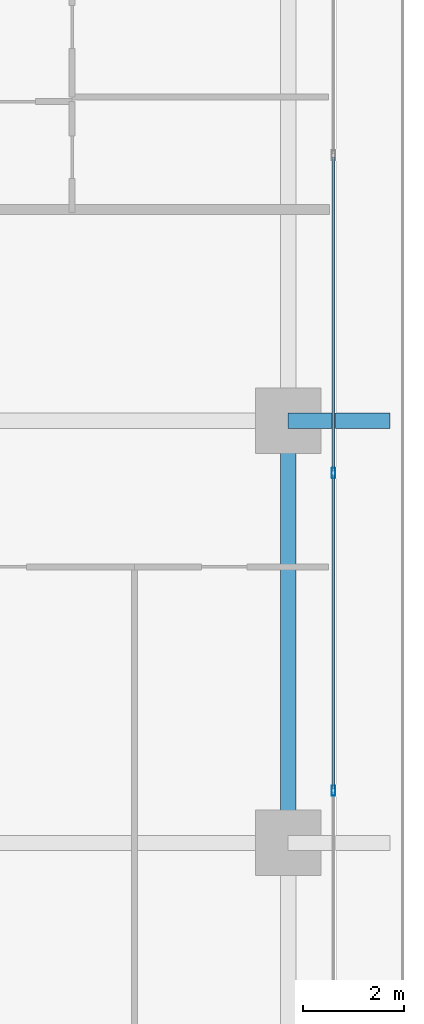
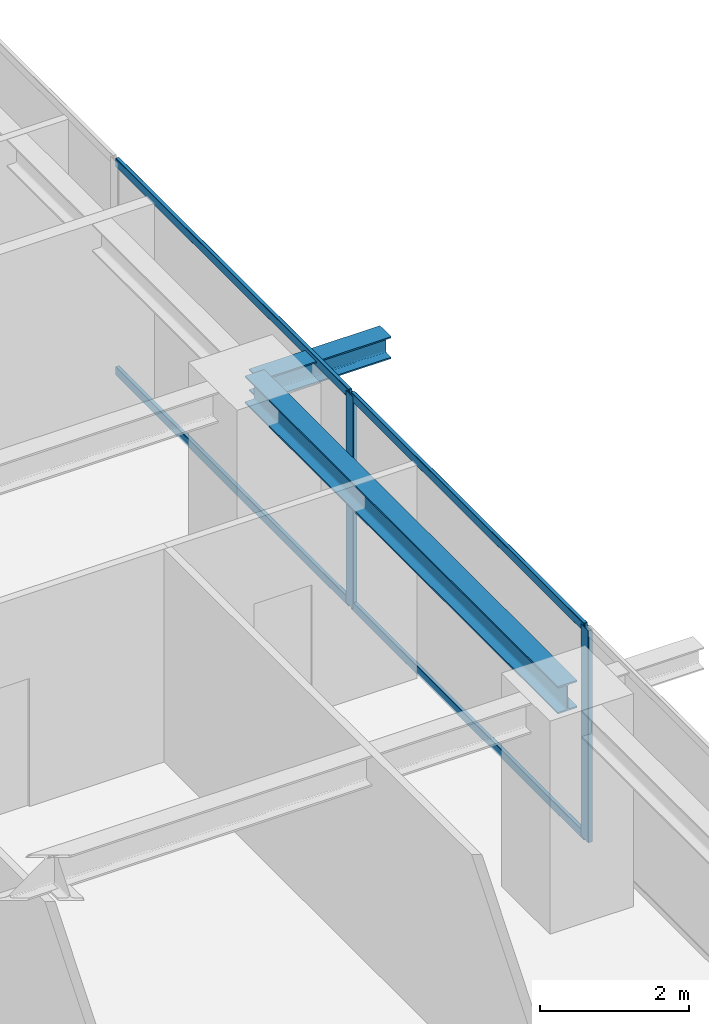
# One storey, part 16 of 39: 6 members, 2 beams, 1 element without a shape of its own.
"""IFC4 building model written with IfcOpenShell, lengths in metres."""

from ifc_helpers import new_model, si_unit, direction, frame, origin, origin_2d, place, context, subcontext, project, spatial, hollow_rectangle, i_section, extrude, source, transform, mapped, material, layer, layer_set, material_profile, profile_set, type_object, element, aggregate, save


model = new_model("IFC4")

# Units and contexts
model_context = context("Model", 3, precision=1e-05, world=origin(), true_north=direction((0.0, 1.0)))
body_context = subcontext(model_context, "Body", "Model", "MODEL_VIEW")
ifc_project = project(units=[si_unit("LENGTHUNIT", "METRE"), si_unit("AREAUNIT", "SQUARE_METRE"), si_unit("VOLUMEUNIT", "CUBIC_METRE"), si_unit("PLANEANGLEUNIT", "RADIAN"), si_unit("MASSUNIT", "GRAM", prefix="KILO")], contexts=[model_context])

# Site, building, storey
site_placement = place(None, origin())
site = spatial("IfcSite", under=ifc_project, at=site_placement, CompositionType="ELEMENT")
building_placement = place(site_placement, origin())
building = spatial("IfcBuilding", under=site, at=building_placement, Name="Serunith Strait Residences", CompositionType="ELEMENT")
storey_placement = place(building_placement, frame((0.0, 0.0, 168.89990234375)))
storey = spatial("IfcBuildingStorey", under=building, at=storey_placement, Name="L42", CompositionType="ELEMENT", Elevation=168.89990234375)

# Beams
ifc_material_1 = material(Name="Steel S355J2", Category="steel")
ifc_material_profile_1 = material_profile(ifc_material_1, i_section(OverallWidth=0.300048828125, OverallDepth=0.449951171875, WebThickness=0.013916015625, FlangeThickness=0.02587890625, FilletRadius=0.027099609375, at=origin_2d()), Name="HEB 450")
ifc_profile_set_1 = profile_set([ifc_material_profile_1], Name="Steel S355J2")
beam_type_1 = type_object("IfcBeamType", Name="BM-HEB450", PredefinedType="BEAM", material=ifc_profile_set_1)
shared_shape_1 = source(origin(), body_context, "Body", "SweptSolid", [
    extrude(i_section(OverallWidth=0.300048828125, OverallDepth=0.449951171875, WebThickness=0.013916015625, FlangeThickness=0.02587890625, FilletRadius=0.027099609375, at=origin_2d()), origin(), (0.0, 0.0, 1.0), 8.39990234375),
])
beam_1_placement = place(storey_placement, frame((56.10009765625, 21.0, 3.26220703125), z_axis=(0.0, 1.0, 0.0), x_axis=(-1.0, 0.0, 0.0)))
element("IfcBeam", 1, at=beam_1_placement, inside=storey, type_object=beam_type_1, Name="L42 Perimeter Ring Beam 06", PredefinedType="BEAM", context=body_context, shape_type="MappedRepresentation", body=[
    mapped(shared_shape_1, transform((0.0, 0.0, 0.0), scale=1.0)),
])
ifc_material_profile_2 = material_profile(ifc_material_1, i_section(OverallWidth=0.300048828125, OverallDepth=0.360107421875, WebThickness=0.012451171875, FlangeThickness=0.0224609375, FilletRadius=0.027099609375, at=origin_2d()), Name="HEB 360")
ifc_profile_set_2 = profile_set([ifc_material_profile_2], Name="Steel S355J2")
beam_type_2 = type_object("IfcBeamType", Name="BM-HEB360", PredefinedType="BEAM", material=ifc_profile_set_2)
shared_shape_2 = source(origin(), body_context, "Body", "SweptSolid", [
    extrude(i_section(OverallWidth=0.300048828125, OverallDepth=0.360107421875, WebThickness=0.012451171875, FlangeThickness=0.0224609375, FilletRadius=0.027099609375, at=origin_2d()), origin(), (0.0, 0.0, 1.0), 2.02978515625),
])
beam_2_placement = place(storey_placement, frame((56.10009765625, 29.39990234375, 3.277099609375), z_axis=(1.0, 0.0, 0.0), x_axis=(0.0, 1.0, 0.0)))
element("IfcBeam", 2, at=beam_2_placement, inside=storey, type_object=beam_type_2, Name="L43 Cantilevered Balcony Rib TC-E3", PredefinedType="BEAM", context=body_context, shape_type="MappedRepresentation", body=[
    mapped(shared_shape_2, transform((0.0, 0.0, 0.0), scale=1.0)),
])

# Curtain wall, members
ifc_material_2 = material(Name="Pale-Champagne Anodised Aluminium", Category="aluminium")
ifc_layer = layer(ifc_material_2, 0.199951171875, Name="Pale-Champagne Anodised Aluminium")
ifc_layer_set = layer_set([ifc_layer], Name="Pale-Champagne Anodised Aluminium")
curtain_wall_type = type_object("IfcCurtainWallType", Name="CW-SYS2", PredefinedType="NOTDEFINED", material=ifc_layer_set)
curtain_wall_placement = place(storey_placement, origin())
curtain_wall = element("IfcCurtainWall", 3, at=curtain_wall_placement, inside=storey, type_object=curtain_wall_type, Name="L42 E Unitised Fritted Curtain Wall", PredefinedType="NOTDEFINED")
ifc_material_profile_3 = material_profile(ifc_material_2, hollow_rectangle(XDim=0.070068359375, YDim=0.199951171875, WallThickness=0.00390625, InnerFilletRadius=0.006103515625, OuterFilletRadius=0.010009765625, at=origin_2d()), Name="ALU 200x70x4")
ifc_profile_set_3 = profile_set([ifc_material_profile_3], Name="Pale-Champagne Anodised Aluminium")
member_type_1 = type_object("IfcMemberType", Name="CW-SYS2-MULL", PredefinedType="MULLION", material=ifc_profile_set_3)
shared_shape_3 = source(origin(), body_context, "Body", "SweptSolid", [
    extrude(hollow_rectangle(XDim=0.070068359375, YDim=0.199951171875, WallThickness=0.00390625, InnerFilletRadius=0.006103515625, OuterFilletRadius=0.010009765625, at=origin_2d()), origin(), (0.0, 0.0, 1.0), 3.47509765625),
])
member_1_placement = place(storey_placement, frame((57.0, 22.0400390625, 0.0), z_axis=(0.0, 0.0, 1.0), x_axis=(-1.0, 0.0, 0.0)))
member_1 = element("IfcMember", 4, at=member_1_placement, type_object=member_type_1, Name="CW-2 mullion 3", PredefinedType="MULLION", context=body_context, shape_type="MappedRepresentation", body=[
    mapped(shared_shape_3, transform((0.0, 0.0, 0.0), scale=1.0)),
])
member_2_placement = place(storey_placement, frame((57.0, 28.360107421875, 0.0), z_axis=(0.0, 0.0, 1.0), x_axis=(-1.0, 0.0, 0.0)))
member_2 = element("IfcMember", 5, at=member_2_placement, type_object=member_type_1, Name="CW-2 mullion 4", PredefinedType="MULLION", context=body_context, shape_type="MappedRepresentation", body=[
    mapped(shared_shape_3, transform((0.0, 0.0, 0.0), scale=1.0)),
])
ifc_material_profile_4 = material_profile(ifc_material_2, hollow_rectangle(XDim=0.06005859375, YDim=0.139892578125, WallThickness=0.00341796875, InnerFilletRadius=0.00537109375, OuterFilletRadius=0.0087890625, at=origin_2d()), Name="ALU 140x60x3.5")
ifc_profile_set_4 = profile_set([ifc_material_profile_4], Name="Pale-Champagne Anodised Aluminium")
member_type_2 = type_object("IfcMemberType", Name="CW-SYS2-TRAN", PredefinedType="USERDEFINED", material=ifc_profile_set_4)
shared_shape_4 = source(origin(), body_context, "Body", "SweptSolid", [
    extrude(hollow_rectangle(XDim=0.06005859375, YDim=0.139892578125, WallThickness=0.00341796875, InnerFilletRadius=0.00537109375, OuterFilletRadius=0.0087890625, at=origin_2d()), origin(), (0.0, 0.0, 1.0), 6.25),
])
member_3_placement = place(storey_placement, frame((57.0, 22.074951171875, 0.030029296875), z_axis=(0.0, 1.0, 0.0), x_axis=(-1.0, 0.0, 0.0)))
member_3 = element("IfcMember", 6, at=member_3_placement, type_object=member_type_2, Name="CW-2 transom 3.1", ObjectType="TRANSOM", PredefinedType="USERDEFINED", context=body_context, shape_type="MappedRepresentation", body=[
    mapped(shared_shape_4, transform((0.0, 0.0, 0.0), scale=1.0)),
])
member_4_placement = place(storey_placement, frame((57.0, 22.074951171875, 3.445068359375), z_axis=(0.0, 1.0, 0.0), x_axis=(-1.0, 0.0, 0.0)))
member_4 = element("IfcMember", 7, at=member_4_placement, type_object=member_type_2, Name="CW-2 transom 3.2", ObjectType="TRANSOM", PredefinedType="USERDEFINED", context=body_context, shape_type="MappedRepresentation", body=[
    mapped(shared_shape_4, transform((0.0, 0.0, 0.0), scale=1.0)),
])
member_5_placement = place(storey_placement, frame((57.0, 28.39501953125, 0.030029296875), z_axis=(0.0, 1.0, 0.0), x_axis=(-1.0, 0.0, 0.0)))
member_5 = element("IfcMember", 8, at=member_5_placement, type_object=member_type_2, Name="CW-2 transom 4.1", ObjectType="TRANSOM", PredefinedType="USERDEFINED", context=body_context, shape_type="MappedRepresentation", body=[
    mapped(shared_shape_4, transform((0.0, 0.0, 0.0), scale=1.0)),
])
member_6_placement = place(storey_placement, frame((57.0, 28.39501953125, 3.445068359375), z_axis=(0.0, 1.0, 0.0), x_axis=(-1.0, 0.0, 0.0)))
member_6 = element("IfcMember", 9, at=member_6_placement, type_object=member_type_2, Name="CW-2 transom 4.2", ObjectType="TRANSOM", PredefinedType="USERDEFINED", context=body_context, shape_type="MappedRepresentation", body=[
    mapped(shared_shape_4, transform((0.0, 0.0, 0.0), scale=1.0)),
])
aggregate(curtain_wall, [member_1, member_2, member_3, member_4, member_5, member_6])

save(model, "model.ifc")
